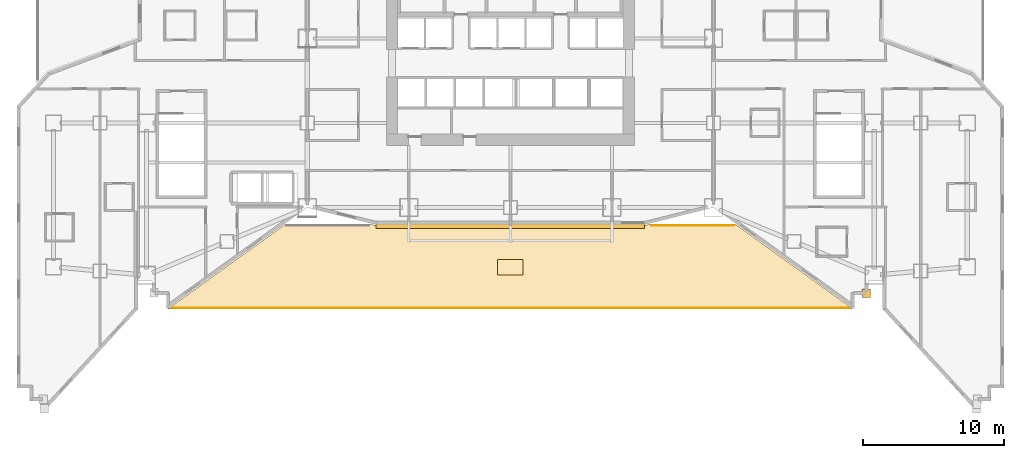
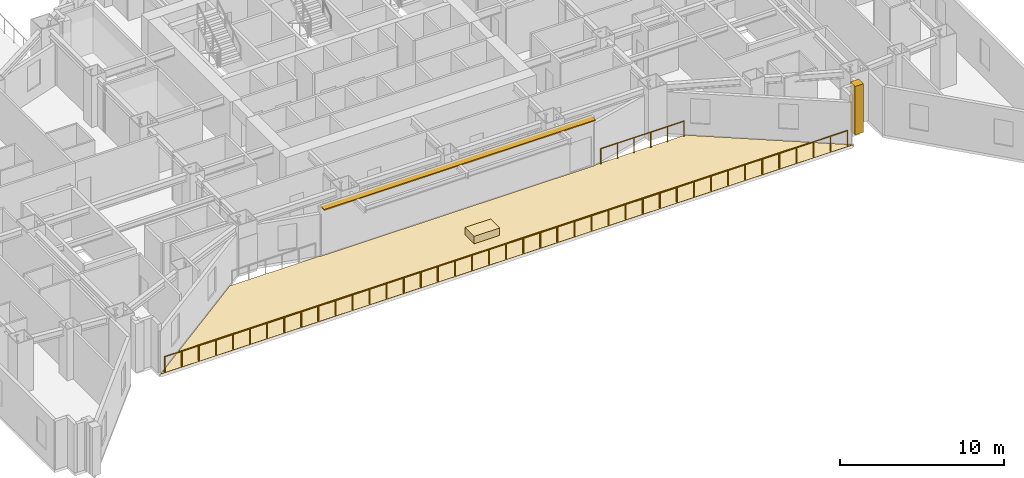
# One storey, part 16 of 20: 3 coverings, 2 railings, 1 shading device.
"""IFC4 building model written with IfcOpenShell, lengths in metres."""

import ifcopenshell
import ifcopenshell.guid

model = None  # the IFC model being written
_history = None  # IfcOwnerHistory: only IFC2X3 demands one
_inside = {}  # id of a spatial element -> (the spatial element, [elements in it])
_under = {}  # id of a project, library or spatial element -> (it, [spatial elements below it])
_declared = {}  # id of a project -> (the project, [libraries it declares])
_typed = {}  # id of a type object -> (the type object, [elements of that type])
_made_of = {}  # id of a material, layer set ... -> (it, [elements and type objects made of it])


def new_model(schema):
    """Start an empty IFC model of exactly this schema.

    Asked for "IFC4X3", IfcOpenShell would pick the latest addendum, in which some entities
    have other attributes; the version numbers below select the first issue.
    IFC2X3 requires an IfcOwnerHistory on every rooted entity: one is made here for all.
    """
    global model, _history
    if schema == "IFC4X3":
        model = ifcopenshell.file(schema_version=(4, 3, 0, 0))
    else:
        model = ifcopenshell.file(schema=schema)
    _inside.clear()
    _under.clear()
    _declared.clear()
    _typed.clear()
    _made_of.clear()
    _history = None
    if model.schema == "IFC2X3":
        org = make("IfcOrganization", Name="unknown")
        user = make(
            "IfcPersonAndOrganization",
            ThePerson=make("IfcPerson", FamilyName="unknown"),
            TheOrganization=org,
        )
        app = make(
            "IfcApplication",
            ApplicationDeveloper=org,
            Version="unknown",
            ApplicationFullName="unknown",
            ApplicationIdentifier="unknown",
        )
        _history = make(
            "IfcOwnerHistory",
            OwningUser=user,
            OwningApplication=app,
            ChangeAction="ADDED",
            CreationDate=0,
        )
    return model


def make(cls, **values):
    """One entity of the class cls with the attributes given. An attribute that is None is left unset."""
    return model.create_entity(
        cls, **{name: value for name, value in values.items() if value is not None}
    )


def rooted(cls, **values):
    """An entity with a GlobalId (a new one), such as an element, a storey or a relation."""
    return make(cls, GlobalId=ifcopenshell.guid.new(), OwnerHistory=_history, **values)


def si_unit(unit_type, name, prefix=None):
    """IfcSIUnit, for example si_unit("LENGTHUNIT", "METRE", prefix="MILLI")."""
    return make("IfcSIUnit", UnitType=unit_type, Prefix=prefix, Name=name)


def assignment(units):
    """IfcUnitAssignment: the units of a project."""
    return None if units is None else make("IfcUnitAssignment", Units=units)


def point(xyz):
    """IfcCartesianPoint."""
    return None if xyz is None else make("IfcCartesianPoint", Coordinates=xyz)


def direction(xyz):
    """IfcDirection."""
    return None if xyz is None else make("IfcDirection", DirectionRatios=xyz)


def frame(location, z_axis=None, x_axis=None):
    """IfcAxis2Placement3D, a coordinate frame: its origin and axes. An axis left out is left unset."""
    return make(
        "IfcAxis2Placement3D",
        Location=point(location),
        Axis=direction(z_axis),
        RefDirection=direction(x_axis),
    )


def frame_2d(location, x_axis=None):
    """IfcAxis2Placement2D, a coordinate frame in the plane: its origin and x axis."""
    return make(
        "IfcAxis2Placement2D", Location=point(location), RefDirection=direction(x_axis)
    )


def origin():
    """The frame at (0, 0, 0) with its axes left unset."""
    return frame((0.0, 0.0, 0.0))


def origin_2d():
    """The frame at (0, 0) in the plane with its x axis left unset."""
    return frame_2d((0.0, 0.0))


def place(relative_to, where):
    """IfcLocalPlacement: puts the frame where relative to a parent placement (None: the world)."""
    return make(
        "IfcLocalPlacement", PlacementRelTo=relative_to, RelativePlacement=where
    )


def context(
    kind, dimensions, precision=None, world=None, true_north=None, identifier=None
):
    """IfcGeometricRepresentationContext, for example the 3D "Model" context."""
    return make(
        "IfcGeometricRepresentationContext",
        ContextIdentifier=identifier,
        ContextType=kind,
        CoordinateSpaceDimension=dimensions,
        Precision=precision,
        WorldCoordinateSystem=world,
        TrueNorth=true_north,
    )


def subcontext(parent, identifier, kind, view, scale=None):
    """IfcGeometricRepresentationSubContext, for example "Body" below "Model"."""
    return make(
        "IfcGeometricRepresentationSubContext",
        ContextIdentifier=identifier,
        ContextType=kind,
        ParentContext=parent,
        TargetScale=scale,
        TargetView=view,
    )


def project(units=None, contexts=None):
    """IfcProject with its units and contexts."""
    return rooted(
        "IfcProject",
        Name="project",
        RepresentationContexts=contexts,
        UnitsInContext=assignment(units),
    )


def spatial(cls, under=None, at=None, **own):
    """A site, building, storey or space (cls), placed at a placement, below another one or the project."""
    s = rooted(cls, ObjectPlacement=at, **own)
    if under is not None:
        _under.setdefault(under.id(), (under, []))[1].append(s)
    return s


def polyline(points):
    """IfcPolyline through the points."""
    return make("IfcPolyline", Points=[point(p) for p in points])


def profile(cls, at=None, kind="AREA", **sizes):
    """A parametric profile (cls). Its sizes go by their IFC names, for example OverallWidth=200.0."""
    return make(cls, ProfileType=kind, Position=at, **sizes)


def rectangle(**sizes):
    """IfcRectangleProfileDef."""
    return profile("IfcRectangleProfileDef", **sizes)


def circle(**sizes):
    """IfcCircleProfileDef."""
    return profile("IfcCircleProfileDef", **sizes)


def outline(outer, holes=None, kind="AREA"):
    """IfcArbitraryClosedProfileDef: a profile drawn as a closed curve; with holes, ...WithVoids."""
    if holes is None:
        return make("IfcArbitraryClosedProfileDef", ProfileType=kind, OuterCurve=outer)
    return make(
        "IfcArbitraryProfileDefWithVoids",
        ProfileType=kind,
        OuterCurve=outer,
        InnerCurves=holes,
    )


def extrude(swept, where, along, depth):
    """IfcExtrudedAreaSolid: the profile swept, set in the frame where, extruded along a direction by depth."""
    return make(
        "IfcExtrudedAreaSolid",
        SweptArea=swept,
        Position=where,
        ExtrudedDirection=direction(along),
        Depth=depth,
    )


def shape(context_of_items, identifier, shape_type, items):
    """IfcShapeRepresentation: the items that make up one representation, for example the "Body"."""
    return make(
        "IfcShapeRepresentation",
        ContextOfItems=context_of_items,
        RepresentationIdentifier=identifier,
        RepresentationType=shape_type,
        Items=items,
    )


def material(Name=None, Category=None):
    """IfcMaterial."""
    return make("IfcMaterial", Name=Name, Category=Category)


def layer(
    of_material, thickness, ventilated=None, Name=None, Category=None, Priority=None
):
    """IfcMaterialLayer: one layer of a wall or slab, of a material (None: an air gap)."""
    return make(
        "IfcMaterialLayer",
        Material=of_material,
        LayerThickness=thickness,
        IsVentilated=ventilated,
        Name=Name,
        Category=Category,
        Priority=Priority,
    )


def layer_set(layers, Name=None):
    """IfcMaterialLayerSet."""
    return make("IfcMaterialLayerSet", MaterialLayers=layers, LayerSetName=Name)


def made_of(thing, what):
    """Note that an element or type object is made of a material, layer set ...; save() writes the relation."""
    if what is not None:
        _made_of.setdefault(what.id(), (what, []))[1].append(thing)
    return thing


def type_object(cls, material=None, **own):
    """A type object (cls), such as IfcWallType, which elements share."""
    return made_of(rooted(cls, **own), material)


def element(
    cls,
    number,
    at=None,
    inside=None,
    cuts=None,
    type_object=None,
    material=None,
    context=None,
    identifier="Body",
    shape_type=None,
    held_by="IfcProductDefinitionShape",
    body=None,
    shapes=None,
    **own,
):
    """One element of the class cls, such as IfcWall. Its Tag is "e" and its number.

    at: its placement. inside: the storey or other place that contains it. cuts: it is an
    opening in that element (IfcRelVoidsElement). A single representation is given by context,
    identifier, shape_type and body (its items); several are given by shapes. held_by: the class
    of the entity that holds the representations. save() writes the other relations.
    """
    e = rooted(cls, Tag="e%d" % number, ObjectPlacement=at, **own)
    if body is not None:
        shapes = [shape(context, identifier, shape_type, body)]
    if shapes is not None:
        e.Representation = make(held_by, Representations=shapes)
    if inside is not None:
        _inside.setdefault(inside.id(), (inside, []))[1].append(e)
    if cuts is not None:
        rooted(
            "IfcRelVoidsElement", RelatingBuildingElement=cuts, RelatedOpeningElement=e
        )
    if type_object is not None:
        _typed.setdefault(type_object.id(), (type_object, []))[1].append(e)
    return made_of(e, material)


def aggregate(whole, parts):
    """IfcRelAggregates: a whole, such as a stair, and the parts it consists of."""
    return rooted("IfcRelAggregates", RelatingObject=whole, RelatedObjects=parts)


def save(model, path):
    """Write the relations noted so far, then the file.

    IfcRelAggregates (storeys below a building ...), IfcRelContainedInSpatialStructure (elements
    in a storey), IfcRelDefinesByType, IfcRelAssociatesMaterial and IfcRelDeclares: one each for
    every whole, place, type object, material and project.
    """
    for whole, parts in _under.values():
        aggregate(whole, parts)
    for where, things in _inside.values():
        rooted(
            "IfcRelContainedInSpatialStructure",
            RelatedElements=things,
            RelatingStructure=where,
        )
    for kind, things in _typed.values():
        rooted("IfcRelDefinesByType", RelatedObjects=things, RelatingType=kind)
    for what, things in _made_of.values():
        rooted("IfcRelAssociatesMaterial", RelatedObjects=things, RelatingMaterial=what)
    for by, libraries in _declared.values():
        rooted("IfcRelDeclares", RelatingContext=by, RelatedDefinitions=libraries)
    model.write(path)


model = new_model("IFC4")

# Units and contexts
model_context = context("Model", 3, precision=1e-05, world=origin(), true_north=direction((0.0, 1.0)))
body_context = subcontext(model_context, "Body", "Model", "MODEL_VIEW")
ifc_project = project(units=[si_unit("LENGTHUNIT", "METRE"), si_unit("AREAUNIT", "SQUARE_METRE"), si_unit("VOLUMEUNIT", "CUBIC_METRE"), si_unit("PLANEANGLEUNIT", "RADIAN"), si_unit("MASSUNIT", "GRAM", prefix="KILO")], contexts=[model_context])

# Site, building, storey
site_placement = place(None, origin())
site = spatial("IfcSite", under=ifc_project, at=site_placement, CompositionType="ELEMENT")
building_placement = place(site_placement, origin())
building = spatial("IfcBuilding", under=site, at=building_placement, Name="Haolan Belvedere Tower", CompositionType="ELEMENT")
storey_placement = place(building_placement, frame((0.0, 0.0, 24.0)))
storey = spatial("IfcBuildingStorey", under=building, at=storey_placement, Name="L05", CompositionType="ELEMENT", Elevation=24.0)

# Coverings
ifc_material_1 = material(Name="Pale champagne-silver anodised aluminium rainscreen cladding", Category="aluminium")
ifc_layer_1 = layer(ifc_material_1, 0.034912109375, Name="Pale champagne-silver anodised aluminium rainscreen cladding")
ifc_layer_set_1 = layer_set([ifc_layer_1], Name="Pale champagne-silver anodised aluminium rainscreen cladding")
covering_type_1 = type_object("IfcCoveringType", Name="COV-CLAD-35", PredefinedType="CLADDING", material=ifc_layer_set_1)
covering_1_placement = place(storey_placement, frame((63.637451171875, 15.52001953125, 0.0), z_axis=(0.0, 0.0, 1.0), x_axis=(1.0, 0.0, 0.0)))
element("IfcCovering", 1, at=covering_1_placement, inside=storey, type_object=covering_type_1, Name="L05 pale-metal serrated corner cladding trim 5", PredefinedType="CLADDING", context=body_context, shape_type="SweptSolid", body=[
    extrude(rectangle(XDim=0.580078125, YDim=0.580078125, at=origin_2d()), origin(), (0.0, 0.0, 1.0), 3.60009765625),
])
ifc_material_2 = material(Name="Engineered lightweight planted garden soil substrate", Category="masonry")
ifc_layer_2 = layer(ifc_material_2, 0.550048828125, Name="Engineered lightweight planted garden soil substrate")
ifc_layer_set_2 = layer_set([ifc_layer_2], Name="Engineered lightweight planted garden soil substrate")
covering_type_2 = type_object("IfcCoveringType", Name="COV-PLANT-550", PredefinedType="MEMBRANE", material=ifc_layer_set_2)
covering_2_placement = place(storey_placement, frame((38.39990234375, 17.375, 0.0), z_axis=(0.0, 0.0, 1.0), x_axis=(1.0, 0.0, 0.0)))
element("IfcCovering", 2, at=covering_2_placement, inside=storey, type_object=covering_type_2, Name="L05 cascade garden terrace PLANTER bed 1", PredefinedType="MEMBRANE", context=body_context, shape_type="SweptSolid", body=[
    extrude(rectangle(XDim=1.800048828125, YDim=1.10009765625, at=origin_2d()), origin(), (0.0, 0.0, 1.0), 0.550048828125),
])
ifc_material_3 = material(Name="Elastomeric waterproof roofing membrane and stone pavers", Category="masonry")
ifc_layer_3 = layer(ifc_material_3, 0.02001953125, Name="Elastomeric waterproof roofing membrane and stone pavers")
ifc_layer_set_3 = layer_set([ifc_layer_3], Name="Elastomeric waterproof roofing membrane and stone pavers")
covering_type_3 = type_object("IfcCoveringType", Name="COV-ROOF-20", PredefinedType="ROOFING", material=ifc_layer_set_3)
covering_3_placement = place(storey_placement, frame((0.0, 0.0, -0.02001953125)))
element("IfcCovering", 3, at=covering_3_placement, inside=storey, type_object=covering_type_3, Name="L05 garden terrace waterproof roofing paver 1", PredefinedType="ROOFING", context=body_context, shape_type="SweptSolid", body=[
    extrude(outline(polyline([(54.381103515625, 20.39990234375), (48.206298828125, 20.39990234375), (48.014404296875, 20.35205078125), (48.010498046875, 20.351318359375), (48.001708984375, 20.35009765625), (47.997802734375, 20.35009765625), (28.80224609375, 20.35009765625), (28.798095703125, 20.35009765625), (28.78955078125, 20.351318359375), (28.78564453125, 20.35205078125), (28.593505859375, 20.39990234375), (22.4189453125, 20.39990234375), (14.085693359375, 14.39990234375), (62.71435546875, 14.39990234375), (54.381103515625, 20.39990234375)])), origin(), (0.0, 0.0, 1.0), 0.02001953125),
])

# Railings
ifc_material_4 = material(Name="Anodised aluminium and laminated glass balustrade", Category="aluminium")
railing_type = type_object("IfcRailingType", Name="RL-TER-BAL-1150", PredefinedType="BALUSTRADE", material=ifc_material_4)
railing_1_placement = place(storey_placement, frame((62.380859375, 14.47998046875, 0.0)))
element("IfcRailing", 4, at=railing_1_placement, inside=storey, type_object=railing_type, Name="L05 outdoor perimeter balustrade TERR-L05-1-1", PredefinedType="BALUSTRADE", context=body_context, shape_type="SweptSolid", body=[
    extrude(circle(Radius=0.02392578125, at=origin_2d()), frame((0.0, 0.0, 1.1259765625), z_axis=(-1.0, 0.0, 0.0), x_axis=(0.0, -1.0, 0.0)), (0.0, 0.0, 1.0), 47.961669921875),
    extrude(circle(Radius=0.02099609375, at=origin_2d()), origin(), (0.0, 0.0, 1.0), 1.101806640625),
    extrude(circle(Radius=0.02099609375, at=origin_2d()), frame((-1.198974609375, 0.0, 0.0)), (0.0, 0.0, 1.0), 1.101806640625),
    extrude(circle(Radius=0.02099609375, at=origin_2d()), frame((-2.398193359375, 0.0, 0.0)), (0.0, 0.0, 1.0), 1.101806640625),
    extrude(circle(Radius=0.02099609375, at=origin_2d()), frame((-3.59716796875, 0.0, 0.0)), (0.0, 0.0, 1.0), 1.101806640625),
    extrude(circle(Radius=0.02099609375, at=origin_2d()), frame((-4.796142578125, 0.0, 0.0)), (0.0, 0.0, 1.0), 1.101806640625),
    extrude(circle(Radius=0.02099609375, at=origin_2d()), frame((-5.9951171875, 0.0, 0.0)), (0.0, 0.0, 1.0), 1.101806640625),
    extrude(circle(Radius=0.02099609375, at=origin_2d()), frame((-7.1943359375, 0.0, 0.0)), (0.0, 0.0, 1.0), 1.101806640625),
    extrude(circle(Radius=0.02099609375, at=origin_2d()), frame((-8.393310546875, 0.0, 0.0)), (0.0, 0.0, 1.0), 1.101806640625),
    extrude(circle(Radius=0.02099609375, at=origin_2d()), frame((-9.59228515625, 0.0, 0.0)), (0.0, 0.0, 1.0), 1.101806640625),
    extrude(circle(Radius=0.02099609375, at=origin_2d()), frame((-10.791259765625, 0.0, 0.0)), (0.0, 0.0, 1.0), 1.101806640625),
    extrude(circle(Radius=0.02099609375, at=origin_2d()), frame((-11.990478515625, 0.0, 0.0)), (0.0, 0.0, 1.0), 1.101806640625),
    extrude(circle(Radius=0.02099609375, at=origin_2d()), frame((-13.189453125, 0.0, 0.0)), (0.0, 0.0, 1.0), 1.101806640625),
    extrude(circle(Radius=0.02099609375, at=origin_2d()), frame((-14.388427734375, 0.0, 0.0)), (0.0, 0.0, 1.0), 1.101806640625),
    extrude(circle(Radius=0.02099609375, at=origin_2d()), frame((-15.587646484375, 0.0, 0.0)), (0.0, 0.0, 1.0), 1.101806640625),
    extrude(circle(Radius=0.02099609375, at=origin_2d()), frame((-16.78662109375, 0.0, 0.0)), (0.0, 0.0, 1.0), 1.101806640625),
    extrude(circle(Radius=0.02099609375, at=origin_2d()), frame((-17.985595703125, 0.0, 0.0)), (0.0, 0.0, 1.0), 1.101806640625),
    extrude(circle(Radius=0.02099609375, at=origin_2d()), frame((-19.1845703125, 0.0, 0.0)), (0.0, 0.0, 1.0), 1.101806640625),
    extrude(circle(Radius=0.02099609375, at=origin_2d()), frame((-20.3837890625, 0.0, 0.0)), (0.0, 0.0, 1.0), 1.101806640625),
    extrude(circle(Radius=0.02099609375, at=origin_2d()), frame((-21.582763671875, 0.0, 0.0)), (0.0, 0.0, 1.0), 1.101806640625),
    extrude(circle(Radius=0.02099609375, at=origin_2d()), frame((-22.78173828125, 0.0, 0.0)), (0.0, 0.0, 1.0), 1.101806640625),
    extrude(circle(Radius=0.02099609375, at=origin_2d()), frame((-23.98095703125, 0.0, 0.0)), (0.0, 0.0, 1.0), 1.101806640625),
    extrude(circle(Radius=0.02099609375, at=origin_2d()), frame((-25.179931640625, 0.0, 0.0)), (0.0, 0.0, 1.0), 1.101806640625),
    extrude(circle(Radius=0.02099609375, at=origin_2d()), frame((-26.37890625, 0.0, 0.0)), (0.0, 0.0, 1.0), 1.101806640625),
    extrude(circle(Radius=0.02099609375, at=origin_2d()), frame((-27.577880859375, 0.0, 0.0)), (0.0, 0.0, 1.0), 1.101806640625),
    extrude(circle(Radius=0.02099609375, at=origin_2d()), frame((-28.777099609375, 0.0, 0.0)), (0.0, 0.0, 1.0), 1.101806640625),
    extrude(circle(Radius=0.02099609375, at=origin_2d()), frame((-29.97607421875, 0.0, 0.0)), (0.0, 0.0, 1.0), 1.101806640625),
    extrude(circle(Radius=0.02099609375, at=origin_2d()), frame((-31.175048828125, 0.0, 0.0)), (0.0, 0.0, 1.0), 1.101806640625),
    extrude(circle(Radius=0.02099609375, at=origin_2d()), frame((-32.3740234375, 0.0, 0.0)), (0.0, 0.0, 1.0), 1.101806640625),
    extrude(circle(Radius=0.02099609375, at=origin_2d()), frame((-33.5732421875, 0.0, 0.0)), (0.0, 0.0, 1.0), 1.101806640625),
    extrude(circle(Radius=0.02099609375, at=origin_2d()), frame((-34.772216796875, 0.0, 0.0)), (0.0, 0.0, 1.0), 1.101806640625),
    extrude(circle(Radius=0.02099609375, at=origin_2d()), frame((-35.97119140625, 0.0, 0.0)), (0.0, 0.0, 1.0), 1.101806640625),
    extrude(circle(Radius=0.02099609375, at=origin_2d()), frame((-37.17041015625, 0.0, 0.0)), (0.0, 0.0, 1.0), 1.101806640625),
    extrude(circle(Radius=0.02099609375, at=origin_2d()), frame((-38.369384765625, 0.0, 0.0)), (0.0, 0.0, 1.0), 1.101806640625),
    extrude(circle(Radius=0.02099609375, at=origin_2d()), frame((-39.568359375, 0.0, 0.0)), (0.0, 0.0, 1.0), 1.101806640625),
    extrude(circle(Radius=0.02099609375, at=origin_2d()), frame((-40.767333984375, 0.0, 0.0)), (0.0, 0.0, 1.0), 1.101806640625),
    extrude(circle(Radius=0.02099609375, at=origin_2d()), frame((-41.966552734375, 0.0, 0.0)), (0.0, 0.0, 1.0), 1.101806640625),
    extrude(circle(Radius=0.02099609375, at=origin_2d()), frame((-43.16552734375, 0.0, 0.0)), (0.0, 0.0, 1.0), 1.101806640625),
    extrude(circle(Radius=0.02099609375, at=origin_2d()), frame((-44.364501953125, 0.0, 0.0)), (0.0, 0.0, 1.0), 1.101806640625),
    extrude(circle(Radius=0.02099609375, at=origin_2d()), frame((-45.5634765625, 0.0, 0.0)), (0.0, 0.0, 1.0), 1.101806640625),
    extrude(circle(Radius=0.02099609375, at=origin_2d()), frame((-46.7626953125, 0.0, 0.0)), (0.0, 0.0, 1.0), 1.101806640625),
    extrude(circle(Radius=0.02099609375, at=origin_2d()), frame((-47.961669921875, 0.0, 0.0)), (0.0, 0.0, 1.0), 1.101806640625),
])
railing_2_placement = place(storey_placement, frame((48.422119140625, 20.320068359375, 0.0)))
element("IfcRailing", 5, at=railing_2_placement, inside=storey, type_object=railing_type, Name="L05 outdoor perimeter balustrade TERR-L05-1-3", PredefinedType="BALUSTRADE", context=body_context, shape_type="SweptSolid", body=[
    extrude(circle(Radius=0.02392578125, at=origin_2d()), frame((0.0, 0.0, 1.1259765625), z_axis=(1.0, 0.0, 0.0), x_axis=(0.0, 1.0, 0.0)), (0.0, 0.0, 1.0), 5.84765625),
    extrude(circle(Radius=0.02099609375, at=origin_2d()), origin(), (0.0, 0.0, 1.0), 1.101806640625),
    extrude(circle(Radius=0.02099609375, at=origin_2d()), frame((1.16943359375, 0.0, 0.0)), (0.0, 0.0, 1.0), 1.101806640625),
    extrude(circle(Radius=0.02099609375, at=origin_2d()), frame((2.339111328125, 0.0, 0.0)), (0.0, 0.0, 1.0), 1.101806640625),
    extrude(circle(Radius=0.02099609375, at=origin_2d()), frame((3.508544921875, 0.0, 0.0)), (0.0, 0.0, 1.0), 1.101806640625),
    extrude(circle(Radius=0.02099609375, at=origin_2d()), frame((4.67822265625, 0.0, 0.0)), (0.0, 0.0, 1.0), 1.101806640625),
    extrude(circle(Radius=0.02099609375, at=origin_2d()), frame((5.84765625, 0.0, 0.0)), (0.0, 0.0, 1.0), 1.101806640625),
])

# Shading device
ifc_material_5 = material(Name="Anodised champagne-silver aluminium 6063-T6", Category="aluminium")
ifc_layer_4 = layer(ifc_material_5, 0.080078125, Name="Anodised champagne-silver aluminium 6063-T6")
ifc_layer_set_4 = layer_set([ifc_layer_4], Name="Anodised champagne-silver aluminium 6063-T6")
shading_device_type = type_object("IfcShadingDeviceType", Name="SHD-SUN-550", PredefinedType="USERDEFINED", material=ifc_layer_set_4)
shading_device_placement = place(storey_placement, frame((38.39990234375, 20.3798828125, 3.5), z_axis=(0.0, 0.0, 1.0), x_axis=(1.0, 0.0, 0.0)))
element("IfcShadingDevice", 6, at=shading_device_placement, inside=storey, type_object=shading_device_type, Name="L05 pale-metal horizontal SUNSHADE band 13.1", ObjectType="SUNSHADE", PredefinedType="USERDEFINED", context=body_context, shape_type="SweptSolid", body=[
    extrude(rectangle(XDim=19.040283203125, YDim=0.550048828125, at=origin_2d()), origin(), (0.0, 0.0, 1.0), 0.080078125),
])

save(model, "model.ifc")
